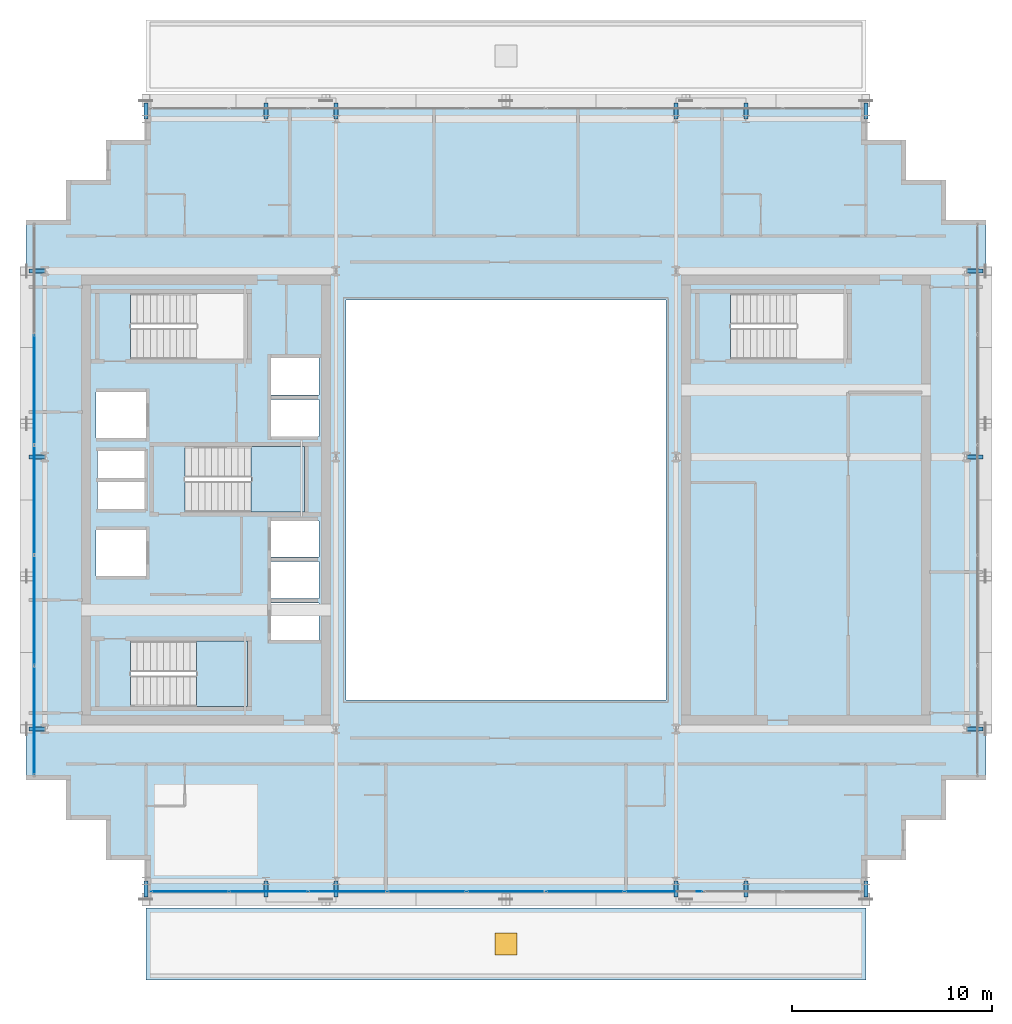
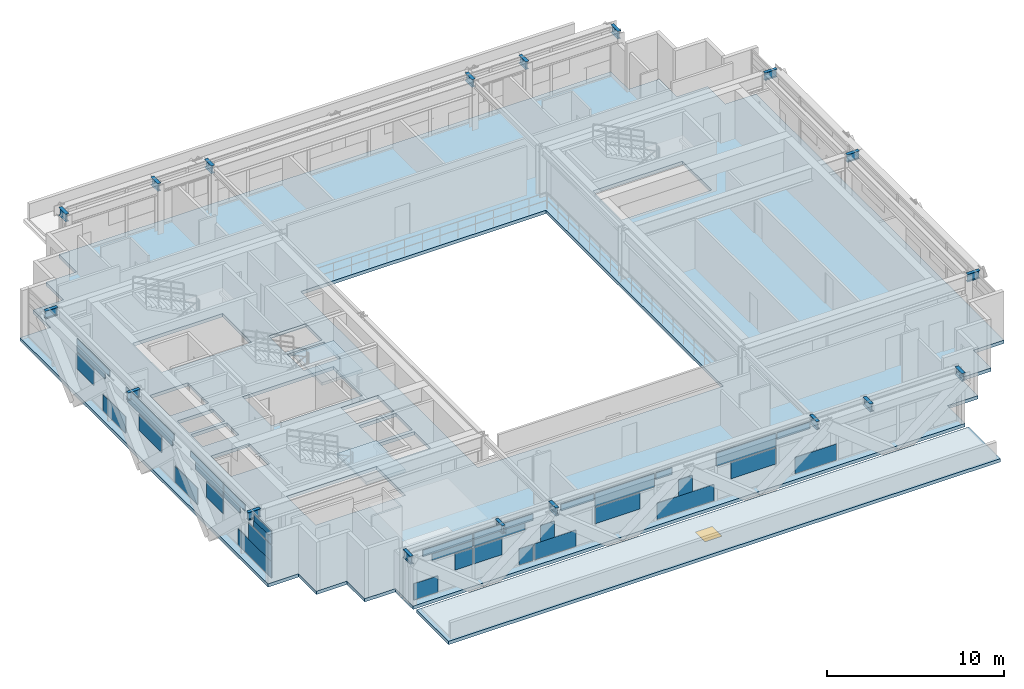
# One storey, part 22 of 34: 37 plates, 18 beams, 4 slabs, 1 door, 1 opening, 4 elements without a shape of their own.
"""IFC4 building model written with IfcOpenShell, lengths in metres."""

from ifc_helpers import new_model, si_unit, direction, frame, origin, origin_2d, place, context, subcontext, project, spatial, polyline, rectangle, i_section, outline, extrude, source, transform, mapped, material, layer, layer_set, material_profile, profile_set, type_object, element, fill, aggregate, save


model = new_model("IFC4")

# Units and contexts
model_context = context("Model", 3, precision=1e-05, world=origin(), true_north=direction((0.0, 1.0)))
body_context = subcontext(model_context, "Body", "Model", "MODEL_VIEW")
ifc_project = project(units=[si_unit("LENGTHUNIT", "METRE"), si_unit("AREAUNIT", "SQUARE_METRE"), si_unit("VOLUMEUNIT", "CUBIC_METRE"), si_unit("PLANEANGLEUNIT", "RADIAN"), si_unit("MASSUNIT", "GRAM", prefix="KILO")], contexts=[model_context])

# Site, building, storey
site_placement = place(None, origin())
site = spatial("IfcSite", under=ifc_project, at=site_placement, CompositionType="ELEMENT")
building_placement = place(site_placement, origin())
building = spatial("IfcBuilding", under=site, at=building_placement, Name="Ocotamira Hotel", CompositionType="ELEMENT")
storey_placement = place(building_placement, frame((0.0, 0.0, 163.199951171875)))
storey = spatial("IfcBuildingStorey", under=building, at=storey_placement, Name="L40", CompositionType="ELEMENT", Elevation=163.199951171875)

# Beams
ifc_material_1 = material(Name="Steel ASTM A992 Grade 50", Category="steel")
ifc_material_profile = material_profile(ifc_material_1, i_section(OverallWidth=0.2099609375, OverallDepth=0.537109375, WebThickness=0.010986328125, FlangeThickness=0.017333984375, FilletRadius=0.012939453125, at=origin_2d()), Name="W21X68")
ifc_profile_set = profile_set([ifc_material_profile], Name="Steel ASTM A992 Grade 50")
beam_type = type_object("IfcBeamType", Name="BM-SEC-W21X68", PredefinedType="JOIST", material=ifc_profile_set)
shared_shape_1 = source(origin(), body_context, "Body", "SweptSolid", [
    extrude(i_section(OverallWidth=0.2099609375, OverallDepth=0.537109375, WebThickness=0.010986328125, FlangeThickness=0.017333984375, FilletRadius=0.012939453125, at=origin_2d()), origin(), (0.0, 0.0, 1.0), 0.800048828125),
])
for number, where, z_axis, x_axis, name in (
    (1, (14.0, 6.949951171875, 3.1015625), (0.0, -1.0, 0.0), (1.0, 0.0, 0.0), "L40 South Edge Header X14"),
    (2, (14.0, 45.050048828125, 3.1015625), (0.0, 1.0, 0.0), (-1.0, 0.0, 0.0), "L40 North Edge Header X14"),
    (3, (20.0, 6.949951171875, 3.1015625), (0.0, -1.0, 0.0), (1.0, 0.0, 0.0), "L40 South Edge Header X20"),
    (4, (20.0, 45.050048828125, 3.1015625), (0.0, 1.0, 0.0), (-1.0, 0.0, 0.0), "L40 North Edge Header X20"),
    (5, (23.5, 6.949951171875, 3.1015625), (0.0, -1.0, 0.0), (1.0, 0.0, 0.0), "L40 South Edge Header X23.5"),
    (6, (23.5, 45.050048828125, 3.1015625), (0.0, 1.0, 0.0), (-1.0, 0.0, 0.0), "L40 North Edge Header X23.5"),
    (7, (40.5, 6.949951171875, 3.1015625), (0.0, -1.0, 0.0), (1.0, 0.0, 0.0), "L40 South Edge Header X40.5"),
    (8, (40.5, 45.050048828125, 3.1015625), (0.0, 1.0, 0.0), (-1.0, 0.0, 0.0), "L40 North Edge Header X40.5"),
    (9, (44.0, 6.949951171875, 3.1015625), (0.0, -1.0, 0.0), (1.0, 0.0, 0.0), "L40 South Edge Header X44"),
    (10, (44.0, 45.050048828125, 3.1015625), (0.0, 1.0, 0.0), (-1.0, 0.0, 0.0), "L40 North Edge Header X44"),
    (11, (50.0, 6.949951171875, 3.1015625), (0.0, -1.0, 0.0), (1.0, 0.0, 0.0), "L40 South Edge Header X50"),
    (12, (50.0, 45.050048828125, 3.1015625), (0.0, 1.0, 0.0), (-1.0, 0.0, 0.0), "L40 North Edge Header X50"),
    (13, (8.949951171875, 14.550048828125, 3.1015625), (-1.0, 0.0, 0.0), (0.0, -1.0, 0.0), "L40 West Edge Header Y14.55"),
    (14, (55.050048828125, 14.550048828125, 3.1015625), (1.0, 0.0, 0.0), (0.0, 1.0, 0.0), "L40 East Edge Header Y14.55"),
    (15, (8.949951171875, 28.14990234375, 3.1015625), (-1.0, 0.0, 0.0), (0.0, -1.0, 0.0), "L40 West Edge Header Y28.15"),
    (16, (55.050048828125, 28.14990234375, 3.1015625), (1.0, 0.0, 0.0), (0.0, 1.0, 0.0), "L40 East Edge Header Y28.15"),
    (17, (8.949951171875, 37.449951171875, 3.1015625), (-1.0, 0.0, 0.0), (0.0, -1.0, 0.0), "L40 West Edge Header Y37.45"),
    (18, (55.050048828125, 37.449951171875, 3.1015625), (1.0, 0.0, 0.0), (0.0, 1.0, 0.0), "L40 East Edge Header Y37.45"),
):
    element("IfcBeam", number, at=place(storey_placement, frame(where, z_axis=z_axis, x_axis=x_axis)), inside=storey, type_object=beam_type, Name=name, PredefinedType="JOIST", context=body_context, shape_type="MappedRepresentation", body=[
        mapped(shared_shape_1, transform((0.0, 0.0, 0.0), scale=1.0)),
    ])

# Stair, slab
ifc_material_2 = material(Name="Concrete C40/50", Category="concrete")
stair_type = type_object("IfcStairType", Name="ST-CORE-1560", PredefinedType="HALF_TURN_STAIR", material=ifc_material_2)
stair_1_placement = place(storey_placement, origin())
stair_1 = element("IfcStair", 19, at=stair_1_placement, inside=storey, type_object=stair_type, Name="L40 Exit Stair ST-1", PredefinedType="HALF_TURN_STAIR")
ifc_layer_1 = layer(ifc_material_2, 0.199951171875)
ifc_layer_set_1 = layer_set([ifc_layer_1], Name="Concrete C40/50")
slab_type_1 = type_object("IfcSlabType", Name="SLB-LAND-200", PredefinedType="LANDING", material=ifc_layer_set_1)
slab_1_placement = place(storey_placement, frame((0.0, 0.0, 1.60009765625)))
slab_1 = element("IfcSlab", 20, at=slab_1_placement, type_object=slab_type_1, Name="ST-1 landing 1", PredefinedType="LANDING", context=body_context, shape_type="SweptSolid", body=[
    extrude(outline(polyline([(16.530029296875, 15.669921875), (19.090087890625, 15.669921875), (19.090087890625, 18.949951171875), (16.530029296875, 18.949951171875), (16.530029296875, 15.669921875)])), origin(), (0.0, 0.0, 1.0), 0.199951171875),
])
aggregate(stair_1, [slab_1])

stair_2_placement = place(storey_placement, origin())
stair_2 = element("IfcStair", 21, at=stair_2_placement, inside=storey, type_object=stair_type, Name="L40 Exit Stair ST-3", PredefinedType="HALF_TURN_STAIR")
slab_2_placement = place(storey_placement, frame((0.0, 0.0, 1.60009765625)))
slab_2 = element("IfcSlab", 22, at=slab_2_placement, type_object=slab_type_1, Name="ST-3 landing 1", PredefinedType="LANDING", context=body_context, shape_type="SweptSolid", body=[
    extrude(outline(polyline([(19.260009765625, 25.39990234375), (21.919921875, 25.39990234375), (21.919921875, 28.679931640625), (19.260009765625, 28.679931640625), (19.260009765625, 25.39990234375)])), origin(), (0.0, 0.0, 1.0), 0.199951171875),
])
aggregate(stair_2, [slab_2])

# Slab, opening, door
ifc_layer_2 = layer(ifc_material_2, 0.22998046875)
ifc_layer_set_2 = layer_set([ifc_layer_2], Name="Concrete C40/50")
slab_type_2 = type_object("IfcSlabType", Name="SLB-ROOF-230", PredefinedType="ROOF", material=ifc_layer_set_2)
slab_3_placement = place(storey_placement, frame((0.0, 0.0, -0.22998046875)))
slab_3 = element("IfcSlab", 23, at=slab_3_placement, inside=storey, type_object=slab_type_2, Name="L40 Setback Roof Z3-S", PredefinedType="ROOF", context=body_context, shape_type="SweptSolid", body=[
    extrude(outline(polyline([(14.0, 2.0), (50.0, 2.0), (50.0, 5.60009765625), (14.0, 5.60009765625), (14.0, 2.0)])), origin(), (0.0, 0.0, 1.0), 0.22998046875),
])
opening_placement = place(slab_3_placement, frame((32.0, 3.800048828125, 0.0)))
opening = element("IfcOpeningElement", 24, at=opening_placement, cuts=slab_3, Name="Opening RH-1", PredefinedType="OPENING", context=body_context, shape_type="SweptSolid", body=[
    extrude(rectangle(XDim=1.10009765625, YDim=1.10009765625, at=origin_2d()), frame((0.0, 0.0, -0.010009765625)), (0.0, 0.0, 1.0), 0.25),
])
ifc_material_3 = material(Name="Insulated aluminium roof access hatch", Category="aluminium")
door_type = type_object("IfcDoorType", Name="DR-HATCH-1100", OperationType="NOTDEFINED", PredefinedType="TRAPDOOR", material=ifc_material_3)
door_placement = place(opening_placement, frame((0.0, 0.0, 0.179931640625)))
door = element("IfcDoor", 25, at=door_placement, inside=storey, type_object=door_type, Name="L40 Maintenance Roof Hatch Z3S [RH-L40-Z3S]", OperationType="SINGLE_SWING_LEFT", OverallHeight=1.10009765625, OverallWidth=1.10009765625, PredefinedType="TRAPDOOR", context=body_context, shape_type="SweptSolid", body=[
    extrude(rectangle(XDim=1.10009765625, YDim=1.10009765625, at=origin_2d()), origin(), (0.0, 0.0, 1.0), 0.050048828125),
])
fill(opening, door)

# Slab
ifc_layer_3 = layer(ifc_material_2, 0.22998046875)
ifc_layer_set_3 = layer_set([ifc_layer_3], Name="Concrete C40/50")
slab_type_3 = type_object("IfcSlabType", Name="SLB-Z3-230", PredefinedType="FLOOR", material=ifc_layer_set_3)
slab_4_placement = place(storey_placement, frame((0.0, 0.0, -0.22998046875)))
element("IfcSlab", 26, at=slab_4_placement, inside=storey, type_object=slab_type_3, Name="L40 Structural Floor Slab", PredefinedType="FLOOR", context=body_context, shape_type="SweptSolid", body=[
    extrude(outline(polyline([(14.0, 6.0), (50.0, 6.0), (50.0, 8.0), (52.0, 8.0), (52.0, 10.0), (54.0, 10.0), (54.0, 12.0), (56.0, 12.0), (56.0, 40.0), (54.0, 40.0), (54.0, 42.0), (52.0, 42.0), (52.0, 44.0), (50.0, 44.0), (50.0, 46.0), (14.0, 46.0), (14.0, 44.0), (12.0, 44.0), (12.0, 42.0), (10.0, 42.0), (10.0, 40.0), (8.0, 40.0), (8.0, 12.0), (10.0, 12.0), (10.0, 10.0), (12.0, 10.0), (12.0, 8.0), (14.0, 8.0), (14.0, 6.0)]), holes=[polyline([(24.0, 16.0), (40.0, 16.0), (40.0, 36.0), (24.0, 36.0), (24.0, 16.0)]), polyline([(13.22998046875, 15.669921875), (19.090087890625, 15.669921875), (19.090087890625, 18.949951171875), (13.22998046875, 18.949951171875), (13.22998046875, 15.669921875)]), polyline([(13.22998046875, 33.050048828125), (19.090087890625, 33.050048828125), (19.090087890625, 36.330078125), (13.22998046875, 36.330078125), (13.22998046875, 33.050048828125)]), polyline([(15.9599609375, 25.39990234375), (21.919921875, 25.39990234375), (21.919921875, 28.679931640625), (15.9599609375, 28.679931640625), (15.9599609375, 25.39990234375)]), polyline([(43.22998046875, 33.050048828125), (49.090087890625, 33.050048828125), (49.090087890625, 36.330078125), (43.22998046875, 36.330078125), (43.22998046875, 33.050048828125)]), polyline([(20.25, 19.0), (22.659912109375, 19.0), (22.659912109375, 20.85009765625), (20.25, 20.85009765625), (20.25, 19.0)]), polyline([(20.25, 21.080078125), (22.659912109375, 21.080078125), (22.659912109375, 22.929931640625), (20.25, 22.929931640625), (20.25, 21.080078125)]), polyline([(20.25, 23.159912109375), (22.659912109375, 23.159912109375), (22.659912109375, 24.9599609375), (20.25, 24.9599609375), (20.25, 23.159912109375)]), polyline([(20.25, 29.179931640625), (22.659912109375, 29.179931640625), (22.659912109375, 31.030029296875), (20.25, 31.030029296875), (20.25, 29.179931640625)]), polyline([(20.25, 31.260009765625), (22.659912109375, 31.260009765625), (22.659912109375, 33.110107421875), (20.25, 33.110107421875), (20.25, 31.260009765625)]), polyline([(11.5, 22.199951171875), (14.0, 22.199951171875), (14.0, 24.5), (11.5, 24.5), (11.5, 22.199951171875)]), polyline([(11.5, 29.10009765625), (14.0, 29.10009765625), (14.0, 31.39990234375), (11.5, 31.39990234375), (11.5, 29.10009765625)]), polyline([(11.580078125, 25.550048828125), (13.919921875, 25.550048828125), (13.919921875, 26.89990234375), (11.580078125, 26.89990234375), (11.580078125, 25.550048828125)]), polyline([(11.580078125, 27.10009765625), (13.919921875, 27.10009765625), (13.919921875, 28.449951171875), (11.580078125, 28.449951171875), (11.580078125, 27.10009765625)])]), origin(), (0.0, 0.0, 1.0), 0.22998046875),
])

# Curtain wall, plates
ifc_material_4 = material(Name="Anodised pale-metal aluminium and solar glass", Category="aluminium")
ifc_layer_4 = layer(ifc_material_4, 0.199951171875)
ifc_layer_set_4 = layer_set([ifc_layer_4], Name="Anodised pale-metal aluminium and solar glass")
curtain_wall_type = type_object("IfcCurtainWallType", Name="CW-SYS4-Z3", PredefinedType="NOTDEFINED", material=ifc_layer_set_4)
curtain_wall_1_placement = place(storey_placement, origin())
curtain_wall_1 = element("IfcCurtainWall", 27, at=curtain_wall_1_placement, inside=storey, type_object=curtain_wall_type, Name="L40 Curtain Wall CW-4 CW-L40-S1", PredefinedType="NOTDEFINED")
ifc_material_5 = material(Name="Double-silver low-E insulated solar glass", Category="glass")
ifc_layer_5 = layer(ifc_material_5, 0.031982421875)
ifc_layer_set_5 = layer_set([ifc_layer_5], Name="Double-silver low-E insulated solar glass")
plate_type = type_object("IfcPlateType", Name="CWP-VISION-32", PredefinedType="CURTAIN_PANEL", material=ifc_layer_set_5)
shared_shape_2 = source(origin(), body_context, "Body", "SweptSolid", [
    extrude(rectangle(XDim=1.5673828125, YDim=0.031982421875, at=origin_2d()), origin(), (0.0, 0.0, 1.0), 1.118896484375),
])
plate_1_placement = place(storey_placement, frame((15.063720703125, 6.419921875, 0.0751953125), z_axis=(0.0, 0.0, 1.0), x_axis=(1.0, 0.0, 0.0)))
plate_1 = element("IfcPlate", 28, at=plate_1_placement, type_object=plate_type, Name="CW-4 panel 1.1.1", PredefinedType="CURTAIN_PANEL", context=body_context, shape_type="MappedRepresentation", body=[
    mapped(shared_shape_2, transform((0.0, 0.0, 0.0), scale=1.0)),
])
shared_shape_3 = source(origin(), body_context, "Body", "SweptSolid", [
    extrude(rectangle(XDim=1.1474609375, YDim=0.031982421875, at=origin_2d()), origin(), (0.0, 0.0, 1.0), 1.11865234375),
])
plate_2_placement = place(storey_placement, frame((17.541748046875, 6.419921875, 1.19384765625), z_axis=(0.0, 0.0, 1.0), x_axis=(1.0, 0.0, 0.0)))
plate_2 = element("IfcPlate", 29, at=plate_2_placement, type_object=plate_type, Name="CW-4 panel 1.1.2", PredefinedType="CURTAIN_PANEL", context=body_context, shape_type="MappedRepresentation", body=[
    mapped(shared_shape_3, transform((0.0, 0.0, 0.0), scale=1.0)),
])
shared_shape_4 = source(origin(), body_context, "Body", "SweptSolid", [
    extrude(rectangle(XDim=3.233154296875, YDim=0.031982421875, at=origin_2d()), origin(), (0.0, 0.0, 1.0), 0.4326171875),
])
plate_3_placement = place(storey_placement, frame((16.4990234375, 6.419921875, 2.862548828125), z_axis=(0.0, 0.0, 1.0), x_axis=(1.0, 0.0, 0.0)))
plate_3 = element("IfcPlate", 30, at=plate_3_placement, type_object=plate_type, Name="CW-4 panel 1.2.1", PredefinedType="CURTAIN_PANEL", context=body_context, shape_type="MappedRepresentation", body=[
    mapped(shared_shape_4, transform((0.0, 0.0, 0.0), scale=1.0)),
])
shared_shape_5 = source(origin(), body_context, "Body", "SweptSolid", [
    extrude(rectangle(XDim=2.6396484375, YDim=0.031982421875, at=origin_2d()), origin(), (0.0, 0.0, 1.0), 0.443603515625),
])
plate_4_placement = place(storey_placement, frame((16.795654296875, 6.419921875, 2.3876953125), z_axis=(0.0, 0.0, 1.0), x_axis=(1.0, 0.0, 0.0)))
plate_4 = element("IfcPlate", 31, at=plate_4_placement, type_object=plate_type, Name="CW-4 panel 1.2.2", PredefinedType="CURTAIN_PANEL", context=body_context, shape_type="MappedRepresentation", body=[
    mapped(shared_shape_5, transform((0.0, 0.0, 0.0), scale=1.0)),
])
shared_shape_6 = source(origin(), body_context, "Body", "SweptSolid", [
    extrude(rectangle(XDim=1.83642578125, YDim=0.031982421875, at=origin_2d()), origin(), (0.0, 0.0, 1.0), 1.11865234375),
])
plate_5_placement = place(storey_placement, frame((19.11376953125, 6.419921875, 1.19384765625), z_axis=(0.0, 0.0, 1.0), x_axis=(1.0, 0.0, 0.0)))
plate_5 = element("IfcPlate", 32, at=plate_5_placement, type_object=plate_type, Name="CW-4 panel 2.1.1", PredefinedType="CURTAIN_PANEL", context=body_context, shape_type="MappedRepresentation", body=[
    mapped(shared_shape_6, transform((0.0, 0.0, 0.0), scale=1.0)),
])
shared_shape_7 = source(origin(), body_context, "Body", "SweptSolid", [
    extrude(rectangle(XDim=0.918701171875, YDim=0.031982421875, at=origin_2d()), origin(), (0.0, 0.0, 1.0), 1.118896484375),
])
plate_6_placement = place(storey_placement, frame((21.61181640625, 6.419921875, 0.0751953125), z_axis=(0.0, 0.0, 1.0), x_axis=(1.0, 0.0, 0.0)))
plate_6 = element("IfcPlate", 33, at=plate_6_placement, type_object=plate_type, Name="CW-4 panel 2.1.2", PredefinedType="CURTAIN_PANEL", context=body_context, shape_type="MappedRepresentation", body=[
    mapped(shared_shape_7, transform((0.0, 0.0, 0.0), scale=1.0)),
])
shared_shape_8 = source(origin(), body_context, "Body", "SweptSolid", [
    extrude(rectangle(XDim=3.32861328125, YDim=0.031982421875, at=origin_2d()), origin(), (0.0, 0.0, 1.0), 0.474853515625),
])
plate_7_placement = place(storey_placement, frame((19.85986328125, 6.419921875, 2.3876953125), z_axis=(0.0, 0.0, 1.0), x_axis=(1.0, 0.0, 0.0)))
plate_7 = element("IfcPlate", 34, at=plate_7_placement, type_object=plate_type, Name="CW-4 panel 2.2.1", PredefinedType="CURTAIN_PANEL", context=body_context, shape_type="MappedRepresentation", body=[
    mapped(shared_shape_8, transform((0.0, 0.0, 0.0), scale=1.0)),
])
shared_shape_9 = source(origin(), body_context, "Body", "SweptSolid", [
    extrude(rectangle(XDim=3.87548828125, YDim=0.031982421875, at=origin_2d()), origin(), (0.0, 0.0, 1.0), 0.4326171875),
])
plate_8_placement = place(storey_placement, frame((20.13330078125, 6.419921875, 2.862548828125), z_axis=(0.0, 0.0, 1.0), x_axis=(1.0, 0.0, 0.0)))
plate_8 = element("IfcPlate", 35, at=plate_8_placement, type_object=plate_type, Name="CW-4 panel 2.2.2", PredefinedType="CURTAIN_PANEL", context=body_context, shape_type="MappedRepresentation", body=[
    mapped(shared_shape_9, transform((0.0, 0.0, 0.0), scale=1.0)),
])
shared_shape_10 = source(origin(), body_context, "Body", "SweptSolid", [
    extrude(rectangle(XDim=2.6962890625, YDim=0.031982421875, at=origin_2d()), origin(), (0.0, 0.0, 1.0), 1.118896484375),
])
plate_9_placement = place(storey_placement, frame((23.499267578125, 6.419921875, 0.0751953125), z_axis=(0.0, 0.0, 1.0), x_axis=(1.0, 0.0, 0.0)))
plate_9 = element("IfcPlate", 36, at=plate_9_placement, type_object=plate_type, Name="CW-4 panel 3.1.1", PredefinedType="CURTAIN_PANEL", context=body_context, shape_type="MappedRepresentation", body=[
    mapped(shared_shape_10, transform((0.0, 0.0, 0.0), scale=1.0)),
])
plate_10_placement = place(storey_placement, frame((40.500732421875, 6.419921875, 0.0751953125), z_axis=(0.0, 0.0, 1.0), x_axis=(1.0, 0.0, 0.0)))
plate_10 = element("IfcPlate", 37, at=plate_10_placement, type_object=plate_type, Name="CW-4 panel 7.1.1", PredefinedType="CURTAIN_PANEL", context=body_context, shape_type="MappedRepresentation", body=[
    mapped(shared_shape_10, transform((0.0, 0.0, 0.0), scale=1.0)),
])
shared_shape_11 = source(origin(), body_context, "Body", "SweptSolid", [
    extrude(rectangle(XDim=0.898193359375, YDim=0.031982421875, at=origin_2d()), origin(), (0.0, 0.0, 1.0), 1.11865234375),
])
plate_11_placement = place(storey_placement, frame((23.0, 6.419921875, 1.19384765625), z_axis=(0.0, 0.0, 1.0), x_axis=(1.0, 0.0, 0.0)))
plate_11 = element("IfcPlate", 38, at=plate_11_placement, type_object=plate_type, Name="CW-4 panel 3.1.2", PredefinedType="CURTAIN_PANEL", context=body_context, shape_type="MappedRepresentation", body=[
    mapped(shared_shape_11, transform((0.0, 0.0, 0.0), scale=1.0)),
])
plate_12_placement = place(storey_placement, frame((32.0, 6.419921875, 1.19384765625), z_axis=(0.0, 0.0, 1.0), x_axis=(1.0, 0.0, 0.0)))
plate_12 = element("IfcPlate", 39, at=plate_12_placement, type_object=plate_type, Name="CW-4 panel 5.1.2", PredefinedType="CURTAIN_PANEL", context=body_context, shape_type="MappedRepresentation", body=[
    mapped(shared_shape_11, transform((0.0, 0.0, 0.0), scale=1.0)),
])
shared_shape_12 = source(origin(), body_context, "Body", "SweptSolid", [
    extrude(rectangle(XDim=2.144287109375, YDim=0.031982421875, at=origin_2d()), origin(), (0.0, 0.0, 1.0), 0.4326171875),
])
plate_13_placement = place(storey_placement, frame((24.95458984375, 6.419921875, 2.862548828125), z_axis=(0.0, 0.0, 1.0), x_axis=(1.0, 0.0, 0.0)))
plate_13 = element("IfcPlate", 40, at=plate_13_placement, type_object=plate_type, Name="CW-4 panel 3.2.1", PredefinedType="CURTAIN_PANEL", context=body_context, shape_type="MappedRepresentation", body=[
    mapped(shared_shape_12, transform((0.0, 0.0, 0.0), scale=1.0)),
])
plate_14_placement = place(storey_placement, frame((39.04541015625, 6.419921875, 2.862548828125), z_axis=(0.0, 0.0, 1.0), x_axis=(1.0, 0.0, 0.0)))
plate_14 = element("IfcPlate", 41, at=plate_14_placement, type_object=plate_type, Name="CW-4 panel 7.2.1", PredefinedType="CURTAIN_PANEL", context=body_context, shape_type="MappedRepresentation", body=[
    mapped(shared_shape_12, transform((0.0, 0.0, 0.0), scale=1.0)),
])
shared_shape_13 = source(origin(), body_context, "Body", "SweptSolid", [
    extrude(rectangle(XDim=2.92529296875, YDim=0.031982421875, at=origin_2d()), origin(), (0.0, 0.0, 1.0), 1.11865234375),
])
plate_15_placement = place(storey_placement, frame((27.5693359375, 6.419921875, 1.19384765625), z_axis=(0.0, 0.0, 1.0), x_axis=(1.0, 0.0, 0.0)))
plate_15 = element("IfcPlate", 42, at=plate_15_placement, type_object=plate_type, Name="CW-4 panel 4.1.1", PredefinedType="CURTAIN_PANEL", context=body_context, shape_type="MappedRepresentation", body=[
    mapped(shared_shape_13, transform((0.0, 0.0, 0.0), scale=1.0)),
])
plate_16_placement = place(storey_placement, frame((36.4306640625, 6.419921875, 1.19384765625), z_axis=(0.0, 0.0, 1.0), x_axis=(1.0, 0.0, 0.0)))
plate_16 = element("IfcPlate", 43, at=plate_16_placement, type_object=plate_type, Name="CW-4 panel 6.1.1", PredefinedType="CURTAIN_PANEL", context=body_context, shape_type="MappedRepresentation", body=[
    mapped(shared_shape_13, transform((0.0, 0.0, 0.0), scale=1.0)),
])
shared_shape_14 = source(origin(), body_context, "Body", "SweptSolid", [
    extrude(rectangle(XDim=3.87548828125, YDim=0.031982421875, at=origin_2d()), origin(), (0.0, 0.0, 1.0), 0.907470703125),
])
plate_17_placement = place(storey_placement, frame((28.04443359375, 6.419921875, 2.3876953125), z_axis=(0.0, 0.0, 1.0), x_axis=(1.0, 0.0, 0.0)))
plate_17 = element("IfcPlate", 44, at=plate_17_placement, type_object=plate_type, Name="CW-4 panel 4.2", PredefinedType="CURTAIN_PANEL", context=body_context, shape_type="MappedRepresentation", body=[
    mapped(shared_shape_14, transform((0.0, 0.0, 0.0), scale=1.0)),
])
plate_18_placement = place(storey_placement, frame((35.95556640625, 6.419921875, 2.3876953125), z_axis=(0.0, 0.0, 1.0), x_axis=(1.0, 0.0, 0.0)))
plate_18 = element("IfcPlate", 45, at=plate_18_placement, type_object=plate_type, Name="CW-4 panel 6.2", PredefinedType="CURTAIN_PANEL", context=body_context, shape_type="MappedRepresentation", body=[
    mapped(shared_shape_14, transform((0.0, 0.0, 0.0), scale=1.0)),
])
shared_shape_15 = source(origin(), body_context, "Body", "SweptSolid", [
    extrude(rectangle(XDim=3.695068359375, YDim=0.031982421875, at=origin_2d()), origin(), (0.0, 0.0, 1.0), 1.118896484375),
])
plate_19_placement = place(storey_placement, frame((32.0, 6.419921875, 0.0751953125), z_axis=(0.0, 0.0, 1.0), x_axis=(1.0, 0.0, 0.0)))
plate_19 = element("IfcPlate", 46, at=plate_19_placement, type_object=plate_type, Name="CW-4 panel 5.1.1", PredefinedType="CURTAIN_PANEL", context=body_context, shape_type="MappedRepresentation", body=[
    mapped(shared_shape_15, transform((0.0, 0.0, 0.0), scale=1.0)),
])
shared_shape_16 = source(origin(), body_context, "Body", "SweptSolid", [
    extrude(rectangle(XDim=1.055419921875, YDim=0.031982421875, at=origin_2d()), origin(), (0.0, 0.0, 1.0), 0.4326171875),
])
plate_20_placement = place(storey_placement, frame((30.58984375, 6.419921875, 2.862548828125), z_axis=(0.0, 0.0, 1.0), x_axis=(1.0, 0.0, 0.0)))
plate_20 = element("IfcPlate", 47, at=plate_20_placement, type_object=plate_type, Name="CW-4 panel 5.2.1", PredefinedType="CURTAIN_PANEL", context=body_context, shape_type="MappedRepresentation", body=[
    mapped(shared_shape_16, transform((0.0, 0.0, 0.0), scale=1.0)),
])
aggregate(curtain_wall_1, [plate_1, plate_2, plate_3, plate_4, plate_5, plate_6, plate_7, plate_8, plate_9, plate_11, plate_13, plate_15, plate_17, plate_19, plate_12, plate_20, plate_16, plate_18, plate_10, plate_14])

curtain_wall_2_placement = place(storey_placement, origin())
curtain_wall_2 = element("IfcCurtainWall", 48, at=curtain_wall_2_placement, inside=storey, type_object=curtain_wall_type, Name="L40 Curtain Wall CW-4 CW-L40-W", PredefinedType="NOTDEFINED")
shared_shape_17 = source(origin(), body_context, "Body", "SweptSolid", [
    extrude(rectangle(XDim=3.802001953125, YDim=0.031982421875, at=origin_2d()), origin(), (0.0, 0.0, 1.0), 1.118896484375),
])
plate_21_placement = place(storey_placement, frame((8.419921875, 14.180908203125, 0.0751953125), z_axis=(0.0, 0.0, 1.0), x_axis=(0.0, 1.0, 0.0)))
plate_21 = element("IfcPlate", 49, at=plate_21_placement, type_object=plate_type, Name="CW-4 panel 1.1.1", PredefinedType="CURTAIN_PANEL", context=body_context, shape_type="MappedRepresentation", body=[
    mapped(shared_shape_17, transform((0.0, 0.0, 0.0), scale=1.0)),
])
shared_shape_18 = source(origin(), body_context, "Body", "SweptSolid", [
    extrude(rectangle(XDim=2.615966796875, YDim=0.031982421875, at=origin_2d()), origin(), (0.0, 0.0, 1.0), 1.11865234375),
])
plate_22_placement = place(storey_placement, frame((8.419921875, 13.587890625, 1.19384765625), z_axis=(0.0, 0.0, 1.0), x_axis=(0.0, 1.0, 0.0)))
plate_22 = element("IfcPlate", 50, at=plate_22_placement, type_object=plate_type, Name="CW-4 panel 1.1.2", PredefinedType="CURTAIN_PANEL", context=body_context, shape_type="MappedRepresentation", body=[
    mapped(shared_shape_18, transform((0.0, 0.0, 0.0), scale=1.0)),
])
shared_shape_19 = source(origin(), body_context, "Body", "SweptSolid", [
    extrude(rectangle(XDim=2.048095703125, YDim=0.031982421875, at=origin_2d()), origin(), (0.0, 0.0, 1.0), 0.460693359375),
])
plate_23_placement = place(storey_placement, frame((8.419921875, 13.303955078125, 2.3876953125), z_axis=(0.0, 0.0, 1.0), x_axis=(0.0, 1.0, 0.0)))
plate_23 = element("IfcPlate", 51, at=plate_23_placement, type_object=plate_type, Name="CW-4 panel 1.2.1", PredefinedType="CURTAIN_PANEL", context=body_context, shape_type="MappedRepresentation", body=[
    mapped(shared_shape_19, transform((0.0, 0.0, 0.0), scale=1.0)),
])
shared_shape_20 = source(origin(), body_context, "Body", "SweptSolid", [
    extrude(rectangle(XDim=2.01171875, YDim=0.031982421875, at=origin_2d()), origin(), (0.0, 0.0, 1.0), 0.44677734375),
])
plate_24_placement = place(storey_placement, frame((8.419921875, 13.285888671875, 2.84814453125), z_axis=(0.0, 0.0, 1.0), x_axis=(0.0, 1.0, 0.0)))
plate_24 = element("IfcPlate", 52, at=plate_24_placement, type_object=plate_type, Name="CW-4 panel 1.2.2", PredefinedType="CURTAIN_PANEL", context=body_context, shape_type="MappedRepresentation", body=[
    mapped(shared_shape_20, transform((0.0, 0.0, 0.0), scale=1.0)),
])
shared_shape_21 = source(origin(), body_context, "Body", "SweptSolid", [
    extrude(rectangle(XDim=2.3681640625, YDim=0.031982421875, at=origin_2d()), origin(), (0.0, 0.0, 1.0), 0.41259765625),
])
plate_25_placement = place(storey_placement, frame((8.419921875, 16.495849609375, 2.882568359375), z_axis=(0.0, 0.0, 1.0), x_axis=(0.0, 1.0, 0.0)))
plate_25 = element("IfcPlate", 53, at=plate_25_placement, type_object=plate_type, Name="CW-4 panel 1.2.3", PredefinedType="CURTAIN_PANEL", context=body_context, shape_type="MappedRepresentation", body=[
    mapped(shared_shape_21, transform((0.0, 0.0, 0.0), scale=1.0)),
])
shared_shape_22 = source(origin(), body_context, "Body", "SweptSolid", [
    extrude(rectangle(XDim=1.84326171875, YDim=0.031982421875, at=origin_2d()), origin(), (0.0, 0.0, 1.0), 0.460693359375),
])
plate_26_placement = place(storey_placement, frame((8.419921875, 16.75830078125, 2.3876953125), z_axis=(0.0, 0.0, 1.0), x_axis=(0.0, 1.0, 0.0)))
plate_26 = element("IfcPlate", 54, at=plate_26_placement, type_object=plate_type, Name="CW-4 panel 1.2.4", PredefinedType="CURTAIN_PANEL", context=body_context, shape_type="MappedRepresentation", body=[
    mapped(shared_shape_22, transform((0.0, 0.0, 0.0), scale=1.0)),
])
shared_shape_23 = source(origin(), body_context, "Body", "SweptSolid", [
    extrude(rectangle(XDim=1.87109375, YDim=0.031982421875, at=origin_2d()), origin(), (0.0, 0.0, 1.0), 1.11865234375),
])
plate_27_placement = place(storey_placement, frame((8.419921875, 18.695556640625, 1.19384765625), z_axis=(0.0, 0.0, 1.0), x_axis=(0.0, 1.0, 0.0)))
plate_27 = element("IfcPlate", 55, at=plate_27_placement, type_object=plate_type, Name="CW-4 panel 2.1.1", PredefinedType="CURTAIN_PANEL", context=body_context, shape_type="MappedRepresentation", body=[
    mapped(shared_shape_23, transform((0.0, 0.0, 0.0), scale=1.0)),
])
plate_28_placement = place(storey_placement, frame((8.419921875, 33.304443359375, 1.19384765625), z_axis=(0.0, 0.0, 1.0), x_axis=(0.0, 1.0, 0.0)))
plate_28 = element("IfcPlate", 56, at=plate_28_placement, type_object=plate_type, Name="CW-4 panel 4.1.2", PredefinedType="CURTAIN_PANEL", context=body_context, shape_type="MappedRepresentation", body=[
    mapped(shared_shape_23, transform((0.0, 0.0, 0.0), scale=1.0)),
])
shared_shape_24 = source(origin(), body_context, "Body", "SweptSolid", [
    extrude(rectangle(XDim=2.548828125, YDim=0.031982421875, at=origin_2d()), origin(), (0.0, 0.0, 1.0), 1.118896484375),
])
plate_29_placement = place(storey_placement, frame((8.419921875, 21.925537109375, 0.0751953125), z_axis=(0.0, 0.0, 1.0), x_axis=(0.0, 1.0, 0.0)))
plate_29 = element("IfcPlate", 57, at=plate_29_placement, type_object=plate_type, Name="CW-4 panel 2.1.2", PredefinedType="CURTAIN_PANEL", context=body_context, shape_type="MappedRepresentation", body=[
    mapped(shared_shape_24, transform((0.0, 0.0, 0.0), scale=1.0)),
])
plate_30_placement = place(storey_placement, frame((8.419921875, 30.074462890625, 0.0751953125), z_axis=(0.0, 0.0, 1.0), x_axis=(0.0, 1.0, 0.0)))
plate_30 = element("IfcPlate", 58, at=plate_30_placement, type_object=plate_type, Name="CW-4 panel 4.1.1", PredefinedType="CURTAIN_PANEL", context=body_context, shape_type="MappedRepresentation", body=[
    mapped(shared_shape_24, transform((0.0, 0.0, 0.0), scale=1.0)),
])
shared_shape_25 = source(origin(), body_context, "Body", "SweptSolid", [
    extrude(rectangle(XDim=3.13671875, YDim=0.031982421875, at=origin_2d()), origin(), (0.0, 0.0, 1.0), 0.460693359375),
])
plate_31_placement = place(storey_placement, frame((8.419921875, 19.328369140625, 2.3876953125), z_axis=(0.0, 0.0, 1.0), x_axis=(0.0, 1.0, 0.0)))
plate_31 = element("IfcPlate", 59, at=plate_31_placement, type_object=plate_type, Name="CW-4 panel 2.2.1", PredefinedType="CURTAIN_PANEL", context=body_context, shape_type="MappedRepresentation", body=[
    mapped(shared_shape_25, transform((0.0, 0.0, 0.0), scale=1.0)),
])
plate_32_placement = place(storey_placement, frame((8.419921875, 32.671630859375, 2.3876953125), z_axis=(0.0, 0.0, 1.0), x_axis=(0.0, 1.0, 0.0)))
plate_32 = element("IfcPlate", 60, at=plate_32_placement, type_object=plate_type, Name="CW-4 panel 4.2.2", PredefinedType="CURTAIN_PANEL", context=body_context, shape_type="MappedRepresentation", body=[
    mapped(shared_shape_25, transform((0.0, 0.0, 0.0), scale=1.0)),
])
shared_shape_26 = source(origin(), body_context, "Body", "SweptSolid", [
    extrude(rectangle(XDim=3.66162109375, YDim=0.031982421875, at=origin_2d()), origin(), (0.0, 0.0, 1.0), 0.41259765625),
])
plate_33_placement = place(storey_placement, frame((8.419921875, 19.5908203125, 2.882568359375), z_axis=(0.0, 0.0, 1.0), x_axis=(0.0, 1.0, 0.0)))
plate_33 = element("IfcPlate", 61, at=plate_33_placement, type_object=plate_type, Name="CW-4 panel 2.2.2", PredefinedType="CURTAIN_PANEL", context=body_context, shape_type="MappedRepresentation", body=[
    mapped(shared_shape_26, transform((0.0, 0.0, 0.0), scale=1.0)),
])
plate_34_placement = place(storey_placement, frame((8.419921875, 32.4091796875, 2.882568359375), z_axis=(0.0, 0.0, 1.0), x_axis=(0.0, 1.0, 0.0)))
plate_34 = element("IfcPlate", 62, at=plate_34_placement, type_object=plate_type, Name="CW-4 panel 4.2.1", PredefinedType="CURTAIN_PANEL", context=body_context, shape_type="MappedRepresentation", body=[
    mapped(shared_shape_26, transform((0.0, 0.0, 0.0), scale=1.0)),
])
shared_shape_27 = source(origin(), body_context, "Body", "SweptSolid", [
    extrude(rectangle(XDim=2.52880859375, YDim=0.031982421875, at=origin_2d()), origin(), (0.0, 0.0, 1.0), 1.11865234375),
])
plate_35_placement = place(storey_placement, frame((8.419921875, 26.0, 1.19384765625), z_axis=(0.0, 0.0, 1.0), x_axis=(0.0, 1.0, 0.0)))
plate_35 = element("IfcPlate", 63, at=plate_35_placement, type_object=plate_type, Name="CW-4 panel 3.1.1", PredefinedType="CURTAIN_PANEL", context=body_context, shape_type="MappedRepresentation", body=[
    mapped(shared_shape_27, transform((0.0, 0.0, 0.0), scale=1.0)),
])
shared_shape_28 = source(origin(), body_context, "Body", "SweptSolid", [
    extrude(rectangle(XDim=5.43994140625, YDim=0.031982421875, at=origin_2d()), origin(), (0.0, 0.0, 1.0), 0.41259765625),
])
plate_36_placement = place(storey_placement, frame((8.419921875, 26.0, 2.882568359375), z_axis=(0.0, 0.0, 1.0), x_axis=(0.0, 1.0, 0.0)))
plate_36 = element("IfcPlate", 64, at=plate_36_placement, type_object=plate_type, Name="CW-4 panel 3.2.1", PredefinedType="CURTAIN_PANEL", context=body_context, shape_type="MappedRepresentation", body=[
    mapped(shared_shape_28, transform((0.0, 0.0, 0.0), scale=1.0)),
])
shared_shape_29 = source(origin(), body_context, "Body", "SweptSolid", [
    extrude(rectangle(XDim=5.06005859375, YDim=0.031982421875, at=origin_2d()), origin(), (0.0, 0.0, 1.0), 0.4951171875),
])
plate_37_placement = place(storey_placement, frame((8.419921875, 26.0, 2.387451171875), z_axis=(0.0, 0.0, 1.0), x_axis=(0.0, 1.0, 0.0)))
plate_37 = element("IfcPlate", 65, at=plate_37_placement, type_object=plate_type, Name="CW-4 panel 3.2.2", PredefinedType="CURTAIN_PANEL", context=body_context, shape_type="MappedRepresentation", body=[
    mapped(shared_shape_29, transform((0.0, 0.0, 0.0), scale=1.0)),
])
aggregate(curtain_wall_2, [plate_21, plate_22, plate_23, plate_24, plate_25, plate_26, plate_27, plate_29, plate_31, plate_33, plate_35, plate_36, plate_37, plate_30, plate_28, plate_34, plate_32])

save(model, "model.ifc")
